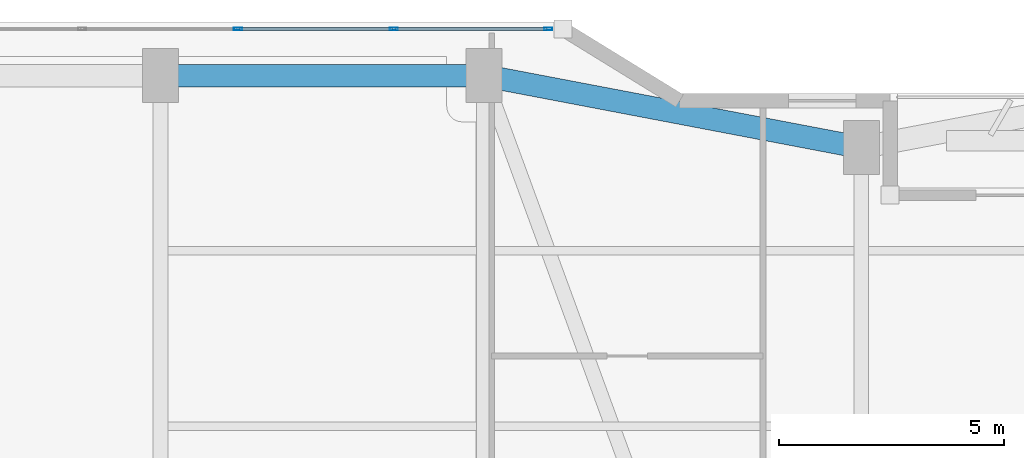
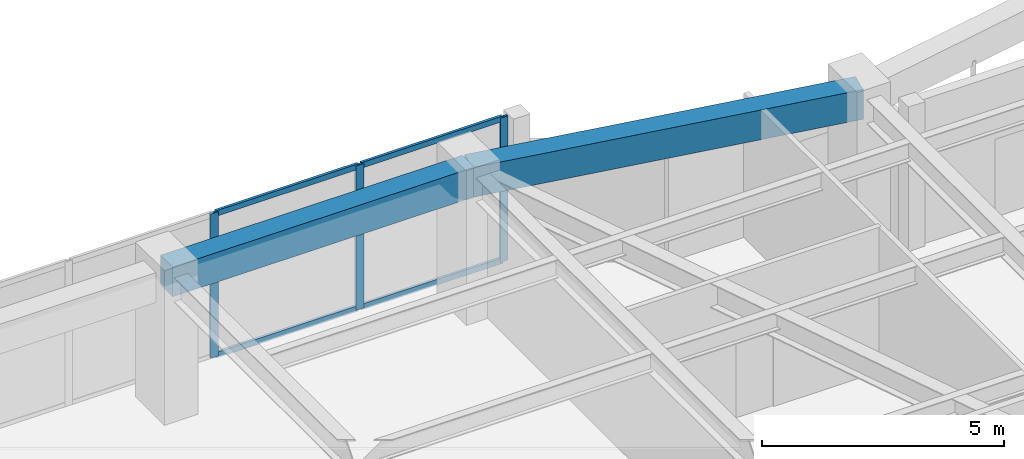
# One storey, part 14 of 24: 7 members, 2 beams, 1 element without a shape of its own.
"""IFC4 building model written with IfcOpenShell, lengths in metres."""

from ifc_helpers import new_model, si_unit, direction, frame, origin, origin_2d, place, context, subcontext, project, spatial, rectangle, hollow_rectangle, extrude, material, layer, layer_set, material_profile, profile_set, type_object, element, aggregate, save


model = new_model("IFC4")

# Units and contexts
model_context = context("Model", 3, precision=1e-05, world=origin(), true_north=direction((0.0, 1.0)))
body_context = subcontext(model_context, "Body", "Model", "MODEL_VIEW")
ifc_project = project(units=[si_unit("LENGTHUNIT", "METRE"), si_unit("AREAUNIT", "SQUARE_METRE"), si_unit("VOLUMEUNIT", "CUBIC_METRE"), si_unit("PLANEANGLEUNIT", "RADIAN"), si_unit("MASSUNIT", "GRAM", prefix="KILO")], contexts=[model_context])

# Site, building, storey
site_placement = place(None, origin())
site = spatial("IfcSite", under=ifc_project, at=site_placement, CompositionType="ELEMENT")
building_placement = place(site_placement, origin())
building = spatial("IfcBuilding", under=site, at=building_placement, Name="Kiyonajd Concourse Tower", CompositionType="ELEMENT")
storey_placement = place(building_placement, frame((0.0, 0.0, 101.39990234375)))
storey = spatial("IfcBuildingStorey", under=building, at=storey_placement, Name="L26", CompositionType="ELEMENT", Elevation=101.39990234375)

# Beams
ifc_material_1 = material(Name="Precast concrete C50/60", Category="concrete")
ifc_material_profile_1 = material_profile(ifc_material_1, rectangle(XDim=0.5, YDim=0.75, at=origin_2d()), Name="RCBM-500x750")
ifc_profile_set_1 = profile_set([ifc_material_profile_1], Name="Precast concrete C50/60")
beam_type = type_object("IfcBeamType", Name="BM-SPAN-RC", PredefinedType="SPANDREL", material=ifc_profile_set_1)
beam_1_placement = place(storey_placement, frame((48.0, 59.60009765625, 3.26513671875), z_axis=(-0.982341315253, 0.187097675953, 0.0), x_axis=(-0.187097675953, -0.982341315253, 0.0)))
element("IfcBeam", 1, at=beam_1_placement, inside=storey, type_object=beam_type, Name="L26 Perimeter Bundled Tube Spandrel", PredefinedType="SPANDREL", context=body_context, shape_type="SweptSolid", body=[
    extrude(rectangle(XDim=0.5, YDim=0.75, at=origin_2d()), origin(), (0.0, 0.0, 1.0), 8.55078125),
])
beam_2_placement = place(storey_placement, frame((39.60009765625, 61.199951171875, 3.26513671875), z_axis=(-1.0, 0.0, 0.0), x_axis=(0.0, -1.0, 0.0)))
element("IfcBeam", 2, at=beam_2_placement, inside=storey, type_object=beam_type, Name="L26 Perimeter Bundled Tube Spandrel", PredefinedType="SPANDREL", context=body_context, shape_type="SweptSolid", body=[
    extrude(rectangle(XDim=0.5, YDim=0.75, at=origin_2d()), origin(), (0.0, 0.0, 1.0), 7.2001953125),
])

# Curtain wall, members
ifc_material_2 = material(Name="Thermally Broken Anodised Aluminium", Category="aluminium")
ifc_layer = layer(ifc_material_2, 0.179931640625)
ifc_layer_set = layer_set([ifc_layer], Name="Thermally Broken Anodised Aluminium")
curtain_wall_type = type_object("IfcCurtainWallType", Name="CW-SYS-03", PredefinedType="NOTDEFINED", material=ifc_layer_set)
curtain_wall_placement = place(storey_placement, origin())
curtain_wall = element("IfcCurtainWall", 3, at=curtain_wall_placement, inside=storey, type_object=curtain_wall_type, Name="L26 Unitised Curtain Wall CW3", PredefinedType="NOTDEFINED")
ifc_material_profile_2 = material_profile(ifc_material_2, hollow_rectangle(XDim=0.06494140625, YDim=0.179931640625, WallThickness=0.00390625, at=origin_2d()), Name="MULL-65x180")
ifc_profile_set_2 = profile_set([ifc_material_profile_2], Name="Thermally Broken Anodised Aluminium")
member_type_1 = type_object("IfcMemberType", Name="MB-CW-MULL1", PredefinedType="MULLION", material=ifc_profile_set_2)
member_1_placement = place(storey_placement, frame((34.123291015625, 62.239990234375, 0.0), z_axis=(0.0, 0.0, 1.0), x_axis=(0.0, 1.0, 0.0)))
member_1 = element("IfcMember", 4, at=member_1_placement, type_object=member_type_1, Name="CW3 mullion 4", PredefinedType="MULLION", context=body_context, shape_type="SweptSolid", body=[
    extrude(hollow_rectangle(XDim=0.06494140625, YDim=0.179931640625, WallThickness=0.00390625, at=origin_2d()), origin(), (0.0, 0.0, 1.0), 3.64013671875),
])
member_2_placement = place(storey_placement, frame((37.593994140625, 62.239990234375, 0.0), z_axis=(0.0, 0.0, 1.0), x_axis=(0.0, 1.0, 0.0)))
member_2 = element("IfcMember", 5, at=member_2_placement, type_object=member_type_1, Name="CW3 mullion 5", PredefinedType="MULLION", context=body_context, shape_type="SweptSolid", body=[
    extrude(hollow_rectangle(XDim=0.06494140625, YDim=0.179931640625, WallThickness=0.00390625, at=origin_2d()), origin(), (0.0, 0.0, 1.0), 3.64013671875),
])
member_3_placement = place(storey_placement, frame((41.0322265625, 62.239990234375, 0.0), z_axis=(0.0, 0.0, 1.0), x_axis=(0.0, 1.0, 0.0)))
member_3 = element("IfcMember", 6, at=member_3_placement, type_object=member_type_1, Name="CW3 mullion 6", PredefinedType="MULLION", context=body_context, shape_type="SweptSolid", body=[
    extrude(hollow_rectangle(XDim=0.06494140625, YDim=0.179931640625, WallThickness=0.00390625, at=origin_2d()), origin(), (0.0, 0.0, 1.0), 3.64013671875),
])
ifc_material_profile_3 = material_profile(ifc_material_2, hollow_rectangle(XDim=0.06494140625, YDim=0.139892578125, WallThickness=0.00390625, at=origin_2d()), Name="TRAN-65x140")
ifc_profile_set_3 = profile_set([ifc_material_profile_3], Name="Thermally Broken Anodised Aluminium")
member_type_2 = type_object("IfcMemberType", Name="MB-CW-TRAN1", PredefinedType="USERDEFINED", material=ifc_profile_set_3)
member_4_placement = place(storey_placement, frame((34.15576171875, 62.239990234375, 0.03271484375), z_axis=(1.0, 0.0, 0.0), x_axis=(0.0, 1.0, 0.0)))
member_4 = element("IfcMember", 7, at=member_4_placement, type_object=member_type_2, Name="CW3 transom 4.1", ObjectType="TRANSOM", PredefinedType="USERDEFINED", context=body_context, shape_type="SweptSolid", body=[
    extrude(hollow_rectangle(XDim=0.06494140625, YDim=0.139892578125, WallThickness=0.00390625, at=origin_2d()), origin(), (0.0, 0.0, 1.0), 3.40576171875),
])
member_5_placement = place(storey_placement, frame((34.15576171875, 62.239990234375, 3.607666015625), z_axis=(1.0, 0.0, 0.0), x_axis=(0.0, 1.0, 0.0)))
member_5 = element("IfcMember", 8, at=member_5_placement, type_object=member_type_2, Name="CW3 transom 4.2", ObjectType="TRANSOM", PredefinedType="USERDEFINED", context=body_context, shape_type="SweptSolid", body=[
    extrude(hollow_rectangle(XDim=0.06494140625, YDim=0.139892578125, WallThickness=0.00390625, at=origin_2d()), origin(), (0.0, 0.0, 1.0), 3.40576171875),
])
member_6_placement = place(storey_placement, frame((37.62646484375, 62.239990234375, 0.03271484375), z_axis=(1.0, 0.0, 0.0), x_axis=(0.0, 1.0, 0.0)))
member_6 = element("IfcMember", 9, at=member_6_placement, type_object=member_type_2, Name="CW3 transom 5.1", ObjectType="TRANSOM", PredefinedType="USERDEFINED", context=body_context, shape_type="SweptSolid", body=[
    extrude(hollow_rectangle(XDim=0.06494140625, YDim=0.139892578125, WallThickness=0.00390625, at=origin_2d()), origin(), (0.0, 0.0, 1.0), 3.373291015625),
])
member_7_placement = place(storey_placement, frame((37.62646484375, 62.239990234375, 3.607666015625), z_axis=(1.0, 0.0, 0.0), x_axis=(0.0, 1.0, 0.0)))
member_7 = element("IfcMember", 10, at=member_7_placement, type_object=member_type_2, Name="CW3 transom 5.2", ObjectType="TRANSOM", PredefinedType="USERDEFINED", context=body_context, shape_type="SweptSolid", body=[
    extrude(hollow_rectangle(XDim=0.06494140625, YDim=0.139892578125, WallThickness=0.00390625, at=origin_2d()), origin(), (0.0, 0.0, 1.0), 3.373291015625),
])
aggregate(curtain_wall, [member_1, member_2, member_3, member_4, member_5, member_6, member_7])

save(model, "model.ifc")
